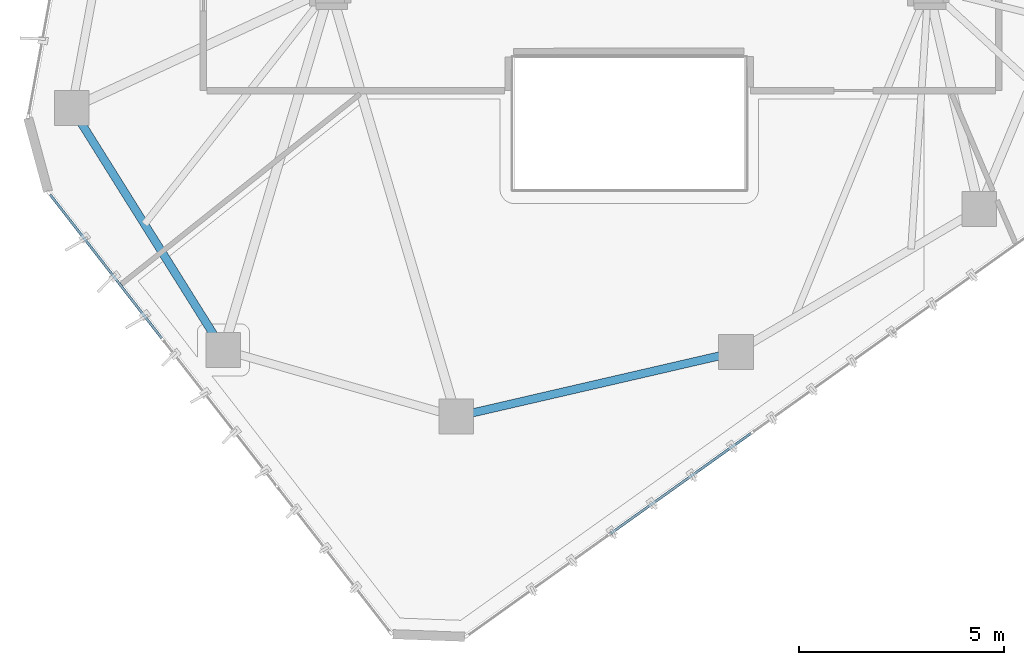
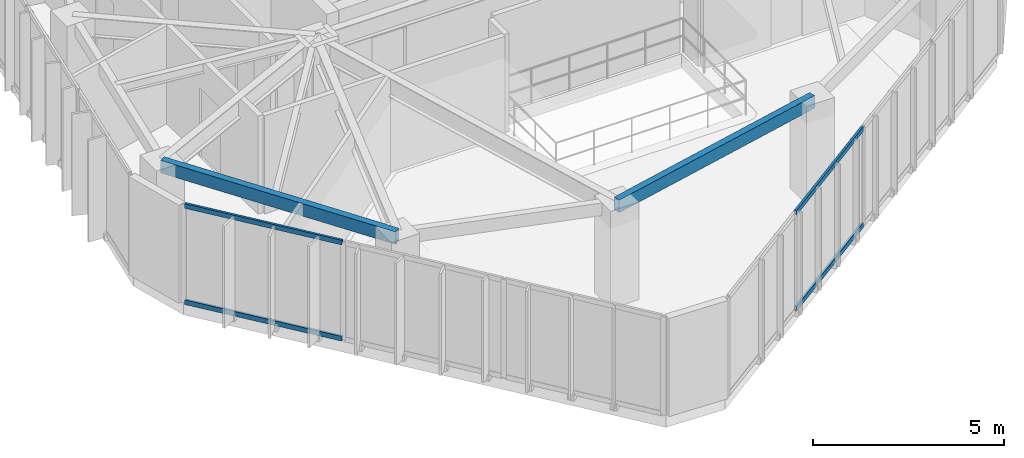
# One storey, part 3 of 19: 4 members, 2 beams, 2 elements without a shape of their own.
"""IFC4 building model written with IfcOpenShell, lengths in metres."""

from ifc_helpers import new_model, si_unit, direction, frame, origin, origin_2d, place, context, subcontext, project, spatial, hollow_rectangle, extrude, source, transform, mapped, material, layer, layer_set, material_profile, profile_set, type_object, type_shapes, element, aggregate, save


model = new_model("IFC4")

# Units and contexts
model_context = context("Model", 3, precision=1e-05, world=origin(), true_north=direction((0.0, 1.0)))
body_context = subcontext(model_context, "Body", "Model", "MODEL_VIEW")
ifc_project = project(units=[si_unit("LENGTHUNIT", "METRE"), si_unit("AREAUNIT", "SQUARE_METRE"), si_unit("VOLUMEUNIT", "CUBIC_METRE"), si_unit("PLANEANGLEUNIT", "RADIAN"), si_unit("MASSUNIT", "GRAM", prefix="KILO")], contexts=[model_context])

# Site, building, storey
site_placement = place(None, origin())
site = spatial("IfcSite", under=ifc_project, at=site_placement, CompositionType="ELEMENT")
building_placement = place(site_placement, origin())
building = spatial("IfcBuilding", under=site, at=building_placement, Name="Talar Marvaseh", CompositionType="ELEMENT")
storey_placement = place(building_placement, frame((0.0, 0.0, 240.800048828125)))
storey = spatial("IfcBuildingStorey", under=building, at=storey_placement, Name="L63", CompositionType="ELEMENT", Elevation=240.800048828125)

# Beams
ifc_material_1 = material(Name="Steel S355", Category="steel")
ifc_material_profile_1 = material_profile(ifc_material_1, hollow_rectangle(XDim=0.199951171875, YDim=0.39990234375, WallThickness=0.013916015625, at=origin_2d()), Name="RHS400x200x14")
ifc_profile_set_1 = profile_set([ifc_material_profile_1], Name="Steel S355")
beam_type = type_object("IfcBeamType", Name="Zone 3 Perimeter Spandrel Beam RHS400x200x14", PredefinedType="SPANDREL", material=ifc_profile_set_1)
beam_1_placement = place(storey_placement, frame((28.60498046875, 16.616943359375, 2.93994140625), z_axis=(-0.974361245946, -0.22498924952, 0.0), x_axis=(0.22498924952, -0.974361245946, 0.0)))
element("IfcBeam", 1, at=beam_1_placement, inside=storey, type_object=beam_type, Name="L63 Zone 3 Perimeter Spandrel Beam RHS400x200x14", PredefinedType="SPANDREL", context=body_context, shape_type="SweptSolid", body=[
    extrude(hollow_rectangle(XDim=0.199951171875, YDim=0.39990234375, WallThickness=0.013916015625, at=origin_2d()), origin(), (0.0, 0.0, 1.0), 7.0087890625),
])
beam_2_placement = place(storey_placement, frame((16.0869140625, 16.66796875, 2.93994140625), z_axis=(-0.530505706813, 0.847681364098, 0.0), x_axis=(-0.847681364098, -0.530505706813, 0.0)))
element("IfcBeam", 2, at=beam_2_placement, inside=storey, type_object=beam_type, Name="L63 Zone 3 Perimeter Spandrel Beam RHS400x200x14", PredefinedType="SPANDREL", context=body_context, shape_type="SweptSolid", body=[
    extrude(hollow_rectangle(XDim=0.199951171875, YDim=0.39990234375, WallThickness=0.013916015625, at=origin_2d()), origin(), (0.0, 0.0, 1.0), 6.970703125),
])

# Curtain wall, members
ifc_material_2 = material(Name="Architectural Aluminium", Category="aluminium")
ifc_layer = layer(ifc_material_2, 0.179931640625)
ifc_layer_set = layer_set([ifc_layer], Name="Architectural Aluminium")
curtain_wall_type = type_object("IfcCurtainWallType", Name="Unitised High-Wind Sky Curtain Wall Z4", PredefinedType="NOTDEFINED", material=ifc_layer_set)
curtain_wall_1_placement = place(storey_placement, origin())
curtain_wall_1 = element("IfcCurtainWall", 3, at=curtain_wall_1_placement, inside=storey, type_object=curtain_wall_type, Name="L63 Unitised High-Wind Sky Curtain Wall Z4", PredefinedType="NOTDEFINED")
ifc_material_profile_2 = material_profile(ifc_material_2, hollow_rectangle(XDim=0.06494140625, YDim=0.14990234375, WallThickness=0.00390625, at=origin_2d()), Name="RHS150x65x4")
ifc_profile_set_2 = profile_set([ifc_material_profile_2], Name="Architectural Aluminium")
member_type = type_object("IfcMemberType", Name="Unitised Curtain Wall Slim Transom RHS150x65x4", PredefinedType="USERDEFINED", material=ifc_profile_set_2)
shared_shape_1 = source(origin(), body_context, "Body", "SweptSolid", [
    extrude(hollow_rectangle(XDim=0.06494140625, YDim=0.14990234375, WallThickness=0.00390625, at=origin_2d()), origin(), (0.0, 0.0, 1.0), 4.447509765625),
])
member_1_placement = place(storey_placement, frame((14.5859375, 16.95361328125, 0.032470703125), z_axis=(-0.61355290171, 0.789653618242, 0.0), x_axis=(-0.789653618242, -0.61355290171, 0.0)))
member_1 = element("IfcMember", 4, at=member_1_placement, type_object=member_type, Name="CW-Z4 transom 3.1", ObjectType="TRANSOM", PredefinedType="USERDEFINED", context=body_context, shape_type="MappedRepresentation", body=[
    mapped(shared_shape_1, transform((0.0, 0.0, 0.0), x_axis=(1.0, 0.0, 0.0), y_axis=(0.0, 1.0, 0.0), z_axis=(0.0, 0.0, 1.0), scale=1.0)),
])
member_2_placement = place(storey_placement, frame((14.5859375, 16.95361328125, 3.107421875), z_axis=(-0.61355290171, 0.789653618242, 0.0), x_axis=(-0.789653618242, -0.61355290171, 0.0)))
member_2 = element("IfcMember", 5, at=member_2_placement, type_object=member_type, Name="CW-Z4 transom 3.2", ObjectType="TRANSOM", PredefinedType="USERDEFINED", context=body_context, shape_type="MappedRepresentation", body=[
    mapped(shared_shape_1, transform((0.0, 0.0, 0.0), x_axis=(1.0, 0.0, 0.0), y_axis=(0.0, 1.0, 0.0), z_axis=(0.0, 0.0, 1.0), scale=1.0)),
])
aggregate(curtain_wall_1, [member_1, member_2])

curtain_wall_2_placement = place(storey_placement, origin())
curtain_wall_2 = element("IfcCurtainWall", 6, at=curtain_wall_2_placement, inside=storey, type_object=curtain_wall_type, Name="L63 Unitised High-Wind Sky Curtain Wall Z4", PredefinedType="NOTDEFINED")
shared_shape_2 = source(origin(), body_context, "Body", "SweptSolid", [
    extrude(hollow_rectangle(XDim=0.06494140625, YDim=0.14990234375, WallThickness=0.00390625, at=origin_2d()), origin(), (0.0, 0.0, 1.0), 4.221435546875),
])
type_shapes(member_type, [shared_shape_1, shared_shape_2])
member_3_placement = place(storey_placement, frame((28.9736328125, 14.635009765625, 0.032470703125), z_axis=(-0.814022543695, -0.580833279313, 0.0), x_axis=(0.580833279313, -0.814022543695, 0.0)))
member_3 = element("IfcMember", 7, at=member_3_placement, type_object=member_type, Name="CW-Z4 transom 3.1", ObjectType="TRANSOM", PredefinedType="USERDEFINED", context=body_context, shape_type="MappedRepresentation", body=[
    mapped(shared_shape_2, transform((0.0, 0.0, 0.0), x_axis=(1.0, 0.0, 0.0), y_axis=(0.0, 1.0, 0.0), z_axis=(0.0, 0.0, 1.0), scale=1.0)),
])
member_4_placement = place(storey_placement, frame((28.9736328125, 14.635009765625, 3.107421875), z_axis=(-0.814022543695, -0.580833279313, 0.0), x_axis=(0.580833279313, -0.814022543695, 0.0)))
member_4 = element("IfcMember", 8, at=member_4_placement, type_object=member_type, Name="CW-Z4 transom 3.2", ObjectType="TRANSOM", PredefinedType="USERDEFINED", context=body_context, shape_type="MappedRepresentation", body=[
    mapped(shared_shape_2, transform((0.0, 0.0, 0.0), x_axis=(1.0, 0.0, 0.0), y_axis=(0.0, 1.0, 0.0), z_axis=(0.0, 0.0, 1.0), scale=1.0)),
])
aggregate(curtain_wall_2, [member_3, member_4])

save(model, "model.ifc")
